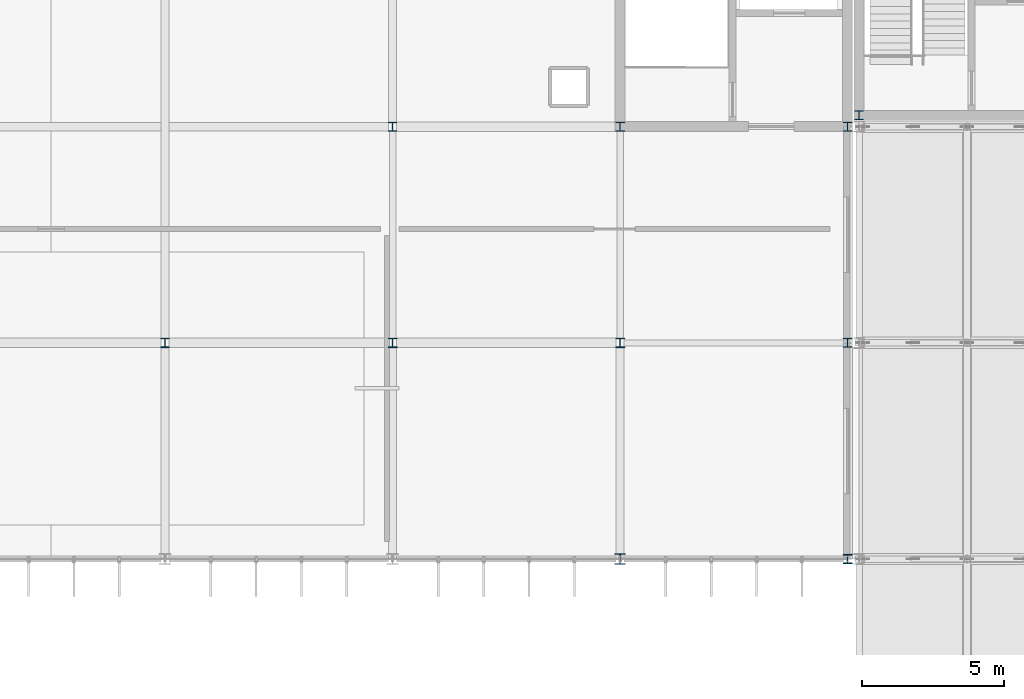
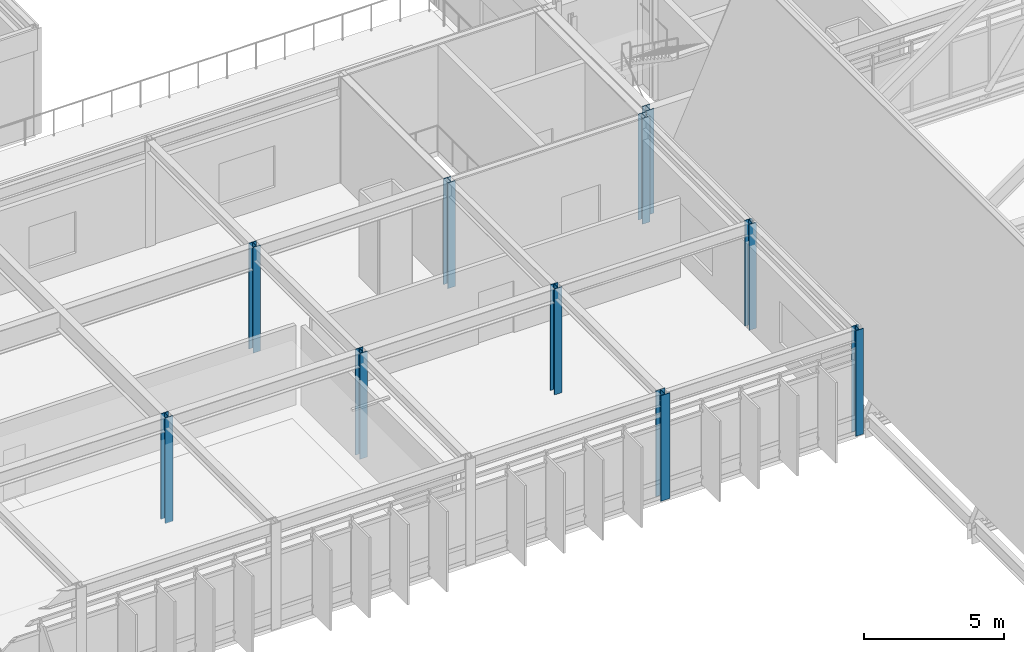
# One storey, part 8 of 100: 10 columns.
"""IFC4 building model written with IfcOpenShell, lengths in metres."""

from ifc_helpers import new_model, si_unit, direction, frame, origin, origin_2d, place, context, subcontext, project, spatial, i_section, extrude, material, material_profile, profile_set, type_object, element, save


model = new_model("IFC4")

# Units and contexts
model_context = context("Model", 3, precision=1e-05, world=origin(), true_north=direction((0.0, 1.0)))
body_context = subcontext(model_context, "Body", "Model", "MODEL_VIEW")
ifc_project = project(units=[si_unit("LENGTHUNIT", "METRE"), si_unit("AREAUNIT", "SQUARE_METRE"), si_unit("VOLUMEUNIT", "CUBIC_METRE"), si_unit("PLANEANGLEUNIT", "RADIAN"), si_unit("MASSUNIT", "GRAM", prefix="KILO")], contexts=[model_context])

# Site, building, storey
site_placement = place(None, origin())
site = spatial("IfcSite", under=ifc_project, at=site_placement, CompositionType="ELEMENT")
building_placement = place(site_placement, origin())
building = spatial("IfcBuilding", under=site, at=building_placement, Name="Zulena Civic Courthouse", CompositionType="ELEMENT")
storey_placement = place(building_placement, frame((0.0, 0.0, 20.39990234375)))
storey = spatial("IfcBuildingStorey", under=building, at=storey_placement, Name="L04", CompositionType="ELEMENT", Elevation=20.39990234375)

# Columns
ifc_material = material(Name="Steel ASTM A992 Grade 50", Category="steel")
ifc_material_profile_1 = material_profile(ifc_material, i_section(OverallWidth=0.31298828125, OverallDepth=0.3330078125, WebThickness=0.01806640625, FlangeThickness=0.0283203125, FilletRadius=0.01513671875, at=origin_2d()), Name="W12X120")
ifc_profile_set_1 = profile_set([ifc_material_profile_1], Name="Steel ASTM A992 Grade 50")
column_type_1 = type_object("IfcColumnType", Name="Col_W12X120", PredefinedType="COLUMN", material=ifc_profile_set_1)
for number, where, z_axis, x_axis, name in (
    (1, (100.0, 22.800048828125, 0.0), (0.0, 0.0, 1.0), (1.0, 0.0, 0.0), "col:V4:L04:100.0:22.8"),
    (2, (108.0, 22.800048828125, 0.0), (0.0, 0.0, 1.0), (1.0, 0.0, 0.0), "col:V4:L04:108.0:22.8"),
    (3, (116.0, 22.800048828125, 0.0), (0.0, 0.0, 1.0), (1.0, 0.0, 0.0), "col:V4:L04:116.0:22.8"),
):
    element("IfcColumn", number, at=place(storey_placement, frame(where, z_axis=z_axis, x_axis=x_axis)), inside=storey, type_object=column_type_1, Name=name, PredefinedType="COLUMN", context=body_context, shape_type="SweptSolid", body=[
        extrude(i_section(OverallWidth=0.31298828125, OverallDepth=0.3330078125, WebThickness=0.01806640625, FlangeThickness=0.0283203125, FilletRadius=0.01513671875, at=origin_2d()), origin(), (0.0, 0.0, 1.0), 4.59521484375),
    ])
ifc_material_profile_2 = material_profile(ifc_material, i_section(OverallWidth=0.30908203125, OverallDepth=0.322998046875, WebThickness=0.013916015625, FlangeThickness=0.02294921875, FilletRadius=0.01513671875, at=origin_2d()), Name="W12X96")
ifc_profile_set_2 = profile_set([ifc_material_profile_2], Name="Steel ASTM A992 Grade 50")
column_type_2 = type_object("IfcColumnType", Name="Col_W12X96", PredefinedType="COLUMN", material=ifc_profile_set_2)
column_1_placement = place(storey_placement, frame((124.39990234375, 30.800048828125, 0.0), z_axis=(0.0, 0.0, 1.0), x_axis=(1.0, 0.0, 0.0)))
element("IfcColumn", 4, at=column_1_placement, inside=storey, type_object=column_type_2, Name="col:V3:L04:124.4:30.8", PredefinedType="COLUMN", context=body_context, shape_type="SweptSolid", body=[
    extrude(i_section(OverallWidth=0.30908203125, OverallDepth=0.322998046875, WebThickness=0.013916015625, FlangeThickness=0.02294921875, FilletRadius=0.01513671875, at=origin_2d()), origin(), (0.0, 0.0, 1.0), 4.545166015625),
])
for number, where, z_axis, x_axis, name in (
    (5, (108.0, 30.39990234375, 0.0), (0.0, 0.0, 1.0), (1.0, 0.0, 0.0), "col:V4:L04:108.0:30.4"),
    (6, (116.0, 30.39990234375, 0.0), (0.0, 0.0, 1.0), (1.0, 0.0, 0.0), "col:V4:L04:116.0:30.4"),
    (7, (124.0, 15.199951171875, 0.0), (0.0, 0.0, 1.0), (1.0, 0.0, 0.0), "col:V4:L04:124.0:15.2"),
    (8, (124.0, 22.800048828125, 0.0), (0.0, 0.0, 1.0), (1.0, 0.0, 0.0), "col:V4:L04:124.0:22.8"),
    (9, (124.0, 30.39990234375, 0.0), (0.0, 0.0, 1.0), (1.0, 0.0, 0.0), "col:V4:L04:124.0:30.4"),
):
    element("IfcColumn", number, at=place(storey_placement, frame(where, z_axis=z_axis, x_axis=x_axis)), inside=storey, type_object=column_type_2, Name=name, PredefinedType="COLUMN", context=body_context, shape_type="SweptSolid", body=[
        extrude(i_section(OverallWidth=0.30908203125, OverallDepth=0.322998046875, WebThickness=0.013916015625, FlangeThickness=0.02294921875, FilletRadius=0.01513671875, at=origin_2d()), origin(), (0.0, 0.0, 1.0), 4.59521484375),
    ])
ifc_material_profile_3 = material_profile(ifc_material, i_section(OverallWidth=0.373046875, OverallDepth=0.367919921875, WebThickness=0.014892578125, FlangeThickness=0.02392578125, FilletRadius=0.01513671875, at=origin_2d()), Name="W14X120")
ifc_profile_set_3 = profile_set([ifc_material_profile_3], Name="Steel ASTM A992 Grade 50")
column_type_3 = type_object("IfcColumnType", Name="Col_W14X120", PredefinedType="COLUMN", material=ifc_profile_set_3)
column_2_placement = place(storey_placement, frame((116.0, 15.199951171875, 0.0), z_axis=(0.0, 0.0, 1.0), x_axis=(1.0, 0.0, 0.0)))
element("IfcColumn", 10, at=column_2_placement, inside=storey, type_object=column_type_3, Name="col:V4:L04:116.0:15.2", PredefinedType="COLUMN", context=body_context, shape_type="SweptSolid", body=[
    extrude(i_section(OverallWidth=0.373046875, OverallDepth=0.367919921875, WebThickness=0.014892578125, FlangeThickness=0.02392578125, FilletRadius=0.01513671875, at=origin_2d()), origin(), (0.0, 0.0, 1.0), 4.59521484375),
])

save(model, "model.ifc")
